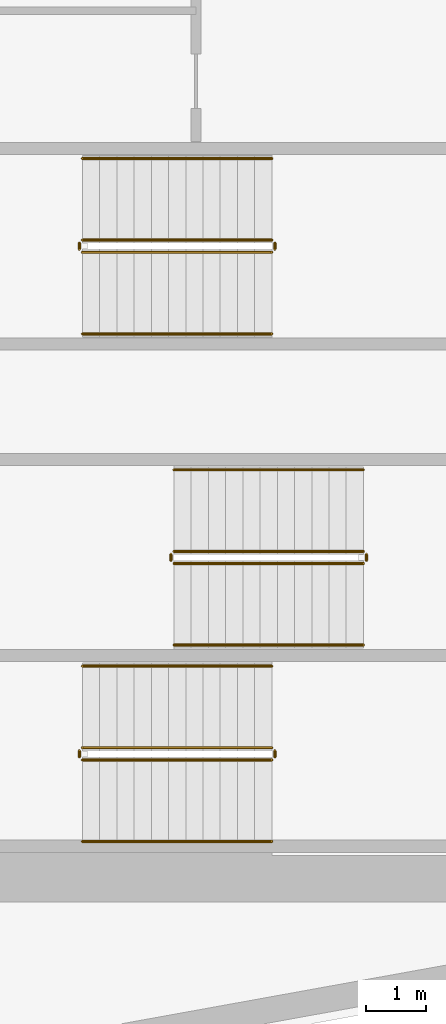
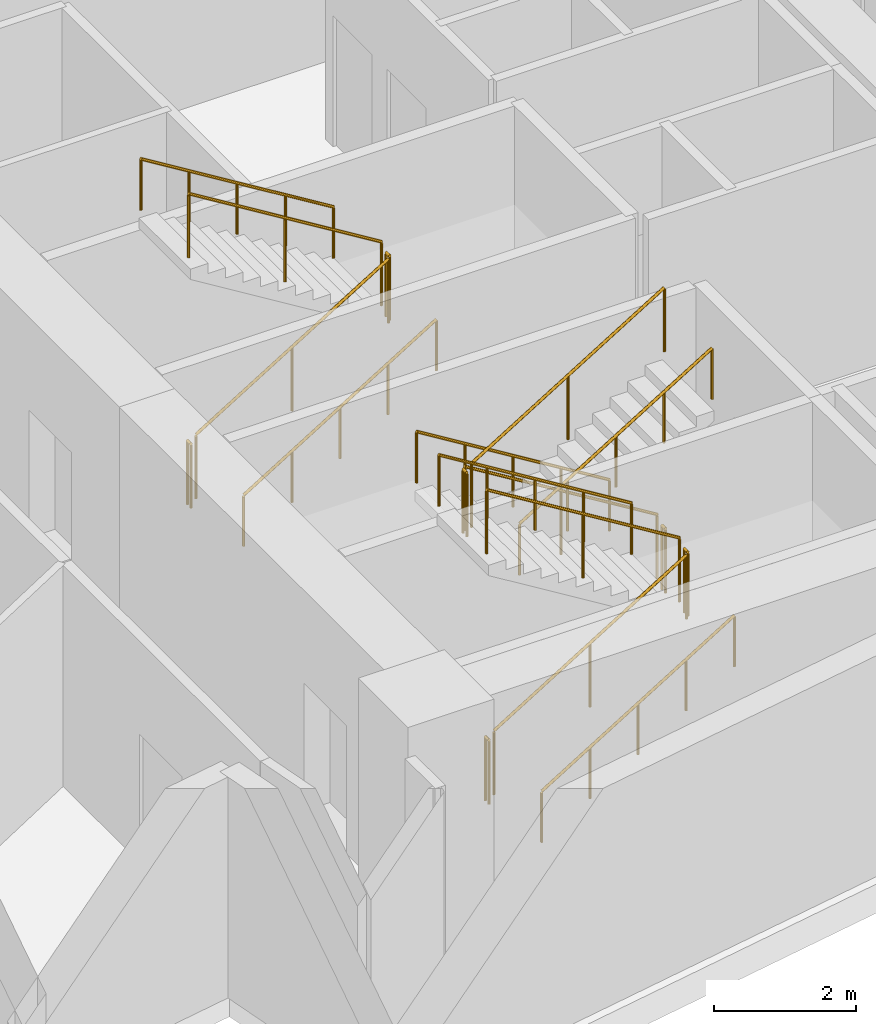
# One storey, part 18 of 19: 18 railings.
"""IFC4 building model written with IfcOpenShell, lengths in metres."""

from ifc_helpers import new_model, si_unit, direction, frame, origin, origin_2d, place, context, subcontext, project, spatial, circle, extrude, material, type_object, element, save


model = new_model("IFC4")

# Units and contexts
model_context = context("Model", 3, precision=1e-05, world=origin(), true_north=direction((0.0, 1.0)))
body_context = subcontext(model_context, "Body", "Model", "MODEL_VIEW")
ifc_project = project(units=[si_unit("LENGTHUNIT", "METRE"), si_unit("AREAUNIT", "SQUARE_METRE"), si_unit("VOLUMEUNIT", "CUBIC_METRE"), si_unit("PLANEANGLEUNIT", "RADIAN"), si_unit("MASSUNIT", "GRAM", prefix="KILO")], contexts=[model_context])

# Site, building, storey
site_placement = place(None, origin())
site = spatial("IfcSite", under=ifc_project, at=site_placement, CompositionType="ELEMENT")
building_placement = place(site_placement, origin())
building = spatial("IfcBuilding", under=site, at=building_placement, Name="Narakoshi Arena Tower", CompositionType="ELEMENT")
storey_placement = place(building_placement, frame((0.0, 0.0, 128.10009765625)))
storey = spatial("IfcBuildingStorey", under=building, at=storey_placement, Name="L34", CompositionType="ELEMENT", Elevation=128.10009765625)

# Railings
ifc_material_1 = material(Name="Clear low-iron laminated structural glass", Category="glass")
railing_type_1 = type_object("IfcRailingType", Name="RL-BAL-1100", PredefinedType="BALUSTRADE", material=ifc_material_1)
railing_1_placement = place(storey_placement, frame((74.39990234375, 36.949951171875, 0.1748046875)))
element("IfcRailing", 1, at=railing_1_placement, inside=storey, type_object=railing_type_1, Name="L34 ST1 stair guard 1", PredefinedType="BALUSTRADE", context=body_context, shape_type="SweptSolid", body=[
    extrude(circle(Radius=0.02392578125, at=origin_2d()), frame((0.0, 0.0, 1.09619140625), z_axis=(0.852166034122, 0.0, 0.523271488128), x_axis=(0.0, 1.0, 0.0)), (0.0, 0.0, 1.0), 3.678955078125),
    extrude(circle(Radius=0.02099609375, at=origin_2d()), origin(), (0.0, 0.0, 1.0), 1.072021484375),
    extrude(circle(Radius=0.02099609375, at=origin_2d()), frame((1.5673828125, 0.0, 0.96240234375)), (0.0, 0.0, 1.0), 1.072021484375),
    extrude(circle(Radius=0.02099609375, at=origin_2d()), frame((3.135009765625, 0.0, 1.925048828125)), (0.0, 0.0, 1.0), 1.072021484375),
])
railing_2_placement = place(storey_placement, frame((77.5849609375, 37.0, 2.099853515625)))
element("IfcRailing", 2, at=railing_2_placement, inside=storey, type_object=railing_type_1, Name="L34 ST1 stair guard 2", PredefinedType="BALUSTRADE", context=body_context, shape_type="SweptSolid", body=[
    extrude(circle(Radius=0.02392578125, at=origin_2d()), frame((0.0, 0.0, 1.09619140625), z_axis=(0.0, 1.0, 0.0), x_axis=(-1.0, 0.0, 0.0)), (0.0, 0.0, 1.0), 0.10009765625),
    extrude(circle(Radius=0.02099609375, at=origin_2d()), origin(), (0.0, 0.0, 1.0), 1.072021484375),
    extrude(circle(Radius=0.02099609375, at=origin_2d()), frame((0.0, 0.10009765625, 0.0)), (0.0, 0.0, 1.0), 1.072021484375),
])
railing_3_placement = place(storey_placement, frame((77.534912109375, 37.14990234375, 2.27490234375)))
element("IfcRailing", 3, at=railing_3_placement, inside=storey, type_object=railing_type_1, Name="L34 ST1 stair guard 3", PredefinedType="BALUSTRADE", context=body_context, shape_type="SweptSolid", body=[
    extrude(circle(Radius=0.02392578125, at=origin_2d()), frame((0.0, 0.0, 1.09619140625), z_axis=(-0.852166034122, 0.0, 0.523271488128), x_axis=(0.0, -1.0, 0.0)), (0.0, 0.0, 1.0), 3.678955078125),
    extrude(circle(Radius=0.02099609375, at=origin_2d()), origin(), (0.0, 0.0, 1.0), 1.072021484375),
    extrude(circle(Radius=0.02099609375, at=origin_2d()), frame((-1.5673828125, 0.0, 0.96240234375)), (0.0, 0.0, 1.0), 1.072021484375),
    extrude(circle(Radius=0.02099609375, at=origin_2d()), frame((-3.135009765625, 0.0, 1.925048828125)), (0.0, 0.0, 1.0), 1.072021484375),
])
railing_4_placement = place(storey_placement, frame((74.35009765625, 37.0, 0.0)))
element("IfcRailing", 4, at=railing_4_placement, inside=storey, type_object=railing_type_1, Name="L34 ST1 stair guard 4", PredefinedType="BALUSTRADE", context=body_context, shape_type="SweptSolid", body=[
    extrude(circle(Radius=0.02392578125, at=origin_2d()), frame((0.0, 0.0, 1.09619140625), z_axis=(0.0, 1.0, 0.0), x_axis=(-1.0, 0.0, 0.0)), (0.0, 0.0, 1.0), 0.10009765625),
    extrude(circle(Radius=0.02099609375, at=origin_2d()), origin(), (0.0, 0.0, 1.0), 1.072021484375),
    extrude(circle(Radius=0.02099609375, at=origin_2d()), frame((0.0, 0.10009765625, 0.0)), (0.0, 0.0, 1.0), 1.072021484375),
])
railing_5_placement = place(storey_placement, frame((79.050048828125, 40.39990234375, 0.1748046875)))
element("IfcRailing", 5, at=railing_5_placement, inside=storey, type_object=railing_type_1, Name="L34 ST2 stair guard 1", PredefinedType="BALUSTRADE", context=body_context, shape_type="SweptSolid", body=[
    extrude(circle(Radius=0.02392578125, at=origin_2d()), frame((0.0, 0.0, 1.09619140625), z_axis=(-0.852166034122, 0.0, 0.523271488128), x_axis=(0.0, -1.0, 0.0)), (0.0, 0.0, 1.0), 3.678955078125),
    extrude(circle(Radius=0.02099609375, at=origin_2d()), origin(), (0.0, 0.0, 1.0), 1.072021484375),
    extrude(circle(Radius=0.02099609375, at=origin_2d()), frame((-1.5673828125, 0.0, 0.96240234375)), (0.0, 0.0, 1.0), 1.072021484375),
    extrude(circle(Radius=0.02099609375, at=origin_2d()), frame((-3.135009765625, 0.0, 1.925048828125)), (0.0, 0.0, 1.0), 1.072021484375),
])
railing_6_placement = place(storey_placement, frame((75.864990234375, 40.35009765625, 2.099853515625)))
element("IfcRailing", 6, at=railing_6_placement, inside=storey, type_object=railing_type_1, Name="L34 ST2 stair guard 2", PredefinedType="BALUSTRADE", context=body_context, shape_type="SweptSolid", body=[
    extrude(circle(Radius=0.02392578125, at=origin_2d()), frame((0.0, 0.0, 1.09619140625), z_axis=(0.0, -1.0, 0.0), x_axis=(1.0, 0.0, 0.0)), (0.0, 0.0, 1.0), 0.10009765625),
    extrude(circle(Radius=0.02099609375, at=origin_2d()), origin(), (0.0, 0.0, 1.0), 1.072021484375),
    extrude(circle(Radius=0.02099609375, at=origin_2d()), frame((0.0, -0.10009765625, 0.0)), (0.0, 0.0, 1.0), 1.072021484375),
])
railing_7_placement = place(storey_placement, frame((75.9150390625, 40.199951171875, 2.27490234375)))
element("IfcRailing", 7, at=railing_7_placement, inside=storey, type_object=railing_type_1, Name="L34 ST2 stair guard 3", PredefinedType="BALUSTRADE", context=body_context, shape_type="SweptSolid", body=[
    extrude(circle(Radius=0.02392578125, at=origin_2d()), frame((0.0, 0.0, 1.09619140625), z_axis=(0.852166034122, 0.0, 0.523271488128), x_axis=(0.0, 1.0, 0.0)), (0.0, 0.0, 1.0), 3.678955078125),
    extrude(circle(Radius=0.02099609375, at=origin_2d()), origin(), (0.0, 0.0, 1.0), 1.072021484375),
    extrude(circle(Radius=0.02099609375, at=origin_2d()), frame((1.5673828125, 0.0, 0.96240234375)), (0.0, 0.0, 1.0), 1.072021484375),
    extrude(circle(Radius=0.02099609375, at=origin_2d()), frame((3.135009765625, 0.0, 1.925048828125)), (0.0, 0.0, 1.0), 1.072021484375),
])
railing_8_placement = place(storey_placement, frame((79.10009765625, 40.35009765625, 0.0)))
element("IfcRailing", 8, at=railing_8_placement, inside=storey, type_object=railing_type_1, Name="L34 ST2 stair guard 4", PredefinedType="BALUSTRADE", context=body_context, shape_type="SweptSolid", body=[
    extrude(circle(Radius=0.02392578125, at=origin_2d()), frame((0.0, 0.0, 1.09619140625), z_axis=(0.0, -1.0, 0.0), x_axis=(1.0, 0.0, 0.0)), (0.0, 0.0, 1.0), 0.10009765625),
    extrude(circle(Radius=0.02099609375, at=origin_2d()), origin(), (0.0, 0.0, 1.0), 1.072021484375),
    extrude(circle(Radius=0.02099609375, at=origin_2d()), frame((0.0, -0.10009765625, 0.0)), (0.0, 0.0, 1.0), 1.072021484375),
])
railing_9_placement = place(storey_placement, frame((74.39990234375, 45.35009765625, 0.1748046875)))
element("IfcRailing", 9, at=railing_9_placement, inside=storey, type_object=railing_type_1, Name="L34 ST3 stair guard 1", PredefinedType="BALUSTRADE", context=body_context, shape_type="SweptSolid", body=[
    extrude(circle(Radius=0.02392578125, at=origin_2d()), frame((0.0, 0.0, 1.09619140625), z_axis=(0.852166034122, 0.0, 0.523271488128), x_axis=(0.0, 1.0, 0.0)), (0.0, 0.0, 1.0), 3.678955078125),
    extrude(circle(Radius=0.02099609375, at=origin_2d()), origin(), (0.0, 0.0, 1.0), 1.072021484375),
    extrude(circle(Radius=0.02099609375, at=origin_2d()), frame((1.5673828125, 0.0, 0.96240234375)), (0.0, 0.0, 1.0), 1.072021484375),
    extrude(circle(Radius=0.02099609375, at=origin_2d()), frame((3.135009765625, 0.0, 1.925048828125)), (0.0, 0.0, 1.0), 1.072021484375),
])
railing_10_placement = place(storey_placement, frame((77.5849609375, 45.39990234375, 2.099853515625)))
element("IfcRailing", 10, at=railing_10_placement, inside=storey, type_object=railing_type_1, Name="L34 ST3 stair guard 2", PredefinedType="BALUSTRADE", context=body_context, shape_type="SweptSolid", body=[
    extrude(circle(Radius=0.02392578125, at=origin_2d()), frame((0.0, 0.0, 1.09619140625), z_axis=(0.0, 1.0, 0.0), x_axis=(-1.0, 0.0, 0.0)), (0.0, 0.0, 1.0), 0.10009765625),
    extrude(circle(Radius=0.02099609375, at=origin_2d()), origin(), (0.0, 0.0, 1.0), 1.072021484375),
    extrude(circle(Radius=0.02099609375, at=origin_2d()), frame((0.0, 0.10009765625, 0.0)), (0.0, 0.0, 1.0), 1.072021484375),
])
railing_11_placement = place(storey_placement, frame((77.534912109375, 45.550048828125, 2.27490234375)))
element("IfcRailing", 11, at=railing_11_placement, inside=storey, type_object=railing_type_1, Name="L34 ST3 stair guard 3", PredefinedType="BALUSTRADE", context=body_context, shape_type="SweptSolid", body=[
    extrude(circle(Radius=0.02392578125, at=origin_2d()), frame((0.0, 0.0, 1.09619140625), z_axis=(-0.852166034122, 0.0, 0.523271488128), x_axis=(0.0, -1.0, 0.0)), (0.0, 0.0, 1.0), 3.678955078125),
    extrude(circle(Radius=0.02099609375, at=origin_2d()), origin(), (0.0, 0.0, 1.0), 1.072021484375),
    extrude(circle(Radius=0.02099609375, at=origin_2d()), frame((-1.5673828125, 0.0, 0.96240234375)), (0.0, 0.0, 1.0), 1.072021484375),
    extrude(circle(Radius=0.02099609375, at=origin_2d()), frame((-3.135009765625, 0.0, 1.925048828125)), (0.0, 0.0, 1.0), 1.072021484375),
])
railing_12_placement = place(storey_placement, frame((74.35009765625, 45.39990234375, 0.0)))
element("IfcRailing", 12, at=railing_12_placement, inside=storey, type_object=railing_type_1, Name="L34 ST3 stair guard 4", PredefinedType="BALUSTRADE", context=body_context, shape_type="SweptSolid", body=[
    extrude(circle(Radius=0.02392578125, at=origin_2d()), frame((0.0, 0.0, 1.09619140625), z_axis=(0.0, 1.0, 0.0), x_axis=(-1.0, 0.0, 0.0)), (0.0, 0.0, 1.0), 0.10009765625),
    extrude(circle(Radius=0.02099609375, at=origin_2d()), origin(), (0.0, 0.0, 1.0), 1.072021484375),
    extrude(circle(Radius=0.02099609375, at=origin_2d()), frame((0.0, 0.10009765625, 0.0)), (0.0, 0.0, 1.0), 1.072021484375),
])
ifc_material_2 = material(Name="Brushed bronze stainless steel", Category="steel")
railing_type_2 = type_object("IfcRailingType", Name="RL-HND-900", PredefinedType="HANDRAIL", material=ifc_material_2)
railing_13_placement = place(storey_placement, frame((74.39990234375, 35.60009765625, 0.1748046875)))
element("IfcRailing", 13, at=railing_13_placement, inside=storey, type_object=railing_type_2, Name="L34 ST1 stair handrail 1", PredefinedType="HANDRAIL", context=body_context, shape_type="SweptSolid", body=[
    extrude(circle(Radius=0.02392578125, at=origin_2d()), frame((0.0, 0.0, 0.8759765625), z_axis=(0.852166034122, 0.0, 0.523271488128), x_axis=(0.0, 1.0, 0.0)), (0.0, 0.0, 1.0), 3.678955078125),
    extrude(circle(Radius=0.02099609375, at=origin_2d()), origin(), (0.0, 0.0, 1.0), 0.851806640625),
    extrude(circle(Radius=0.02099609375, at=origin_2d()), frame((0.78369140625, 0.0, 0.481201171875)), (0.0, 0.0, 1.0), 0.851806640625),
    extrude(circle(Radius=0.02099609375, at=origin_2d()), frame((1.5673828125, 0.0, 0.96240234375)), (0.0, 0.0, 1.0), 0.851806640625),
    extrude(circle(Radius=0.02099609375, at=origin_2d()), frame((2.351318359375, 0.0, 1.44384765625)), (0.0, 0.0, 1.0), 0.851806640625),
    extrude(circle(Radius=0.02099609375, at=origin_2d()), frame((3.135009765625, 0.0, 1.925048828125)), (0.0, 0.0, 1.0), 0.851806640625),
])
for number, where, name in (
    (14, (77.534912109375, 38.5, 2.27490234375), "L34 ST1 stair handrail 2"),
    (15, (79.050048828125, 41.75, 0.1748046875), "L34 ST2 stair handrail 1"),
):
    element("IfcRailing", number, at=place(storey_placement, frame(where)), inside=storey, type_object=railing_type_2, Name=name, PredefinedType="HANDRAIL", context=body_context, shape_type="SweptSolid", body=[
        extrude(circle(Radius=0.02392578125, at=origin_2d()), frame((0.0, 0.0, 0.8759765625), z_axis=(-0.852166034122, 0.0, 0.523271488128), x_axis=(0.0, -1.0, 0.0)), (0.0, 0.0, 1.0), 3.678955078125),
        extrude(circle(Radius=0.02099609375, at=origin_2d()), origin(), (0.0, 0.0, 1.0), 0.851806640625),
        extrude(circle(Radius=0.02099609375, at=origin_2d()), frame((-0.78369140625, 0.0, 0.481201171875)), (0.0, 0.0, 1.0), 0.851806640625),
        extrude(circle(Radius=0.02099609375, at=origin_2d()), frame((-1.5673828125, 0.0, 0.96240234375)), (0.0, 0.0, 1.0), 0.851806640625),
        extrude(circle(Radius=0.02099609375, at=origin_2d()), frame((-2.351318359375, 0.0, 1.44384765625)), (0.0, 0.0, 1.0), 0.851806640625),
        extrude(circle(Radius=0.02099609375, at=origin_2d()), frame((-3.135009765625, 0.0, 1.925048828125)), (0.0, 0.0, 1.0), 0.851806640625),
    ])
for number, where, name in (
    (16, (75.9150390625, 38.85009765625, 2.27490234375), "L34 ST2 stair handrail 2"),
    (17, (74.39990234375, 44.0, 0.1748046875), "L34 ST3 stair handrail 1"),
):
    element("IfcRailing", number, at=place(storey_placement, frame(where)), inside=storey, type_object=railing_type_2, Name=name, PredefinedType="HANDRAIL", context=body_context, shape_type="SweptSolid", body=[
        extrude(circle(Radius=0.02392578125, at=origin_2d()), frame((0.0, 0.0, 0.8759765625), z_axis=(0.852166034122, 0.0, 0.523271488128), x_axis=(0.0, 1.0, 0.0)), (0.0, 0.0, 1.0), 3.678955078125),
        extrude(circle(Radius=0.02099609375, at=origin_2d()), origin(), (0.0, 0.0, 1.0), 0.851806640625),
        extrude(circle(Radius=0.02099609375, at=origin_2d()), frame((0.78369140625, 0.0, 0.481201171875)), (0.0, 0.0, 1.0), 0.851806640625),
        extrude(circle(Radius=0.02099609375, at=origin_2d()), frame((1.5673828125, 0.0, 0.96240234375)), (0.0, 0.0, 1.0), 0.851806640625),
        extrude(circle(Radius=0.02099609375, at=origin_2d()), frame((2.351318359375, 0.0, 1.44384765625)), (0.0, 0.0, 1.0), 0.851806640625),
        extrude(circle(Radius=0.02099609375, at=origin_2d()), frame((3.135009765625, 0.0, 1.925048828125)), (0.0, 0.0, 1.0), 0.851806640625),
    ])
railing_14_placement = place(storey_placement, frame((77.534912109375, 46.89990234375, 2.27490234375)))
element("IfcRailing", 18, at=railing_14_placement, inside=storey, type_object=railing_type_2, Name="L34 ST3 stair handrail 2", PredefinedType="HANDRAIL", context=body_context, shape_type="SweptSolid", body=[
    extrude(circle(Radius=0.02392578125, at=origin_2d()), frame((0.0, 0.0, 0.8759765625), z_axis=(-0.852166034122, 0.0, 0.523271488128), x_axis=(0.0, -1.0, 0.0)), (0.0, 0.0, 1.0), 3.678955078125),
    extrude(circle(Radius=0.02099609375, at=origin_2d()), origin(), (0.0, 0.0, 1.0), 0.851806640625),
    extrude(circle(Radius=0.02099609375, at=origin_2d()), frame((-0.78369140625, 0.0, 0.481201171875)), (0.0, 0.0, 1.0), 0.851806640625),
    extrude(circle(Radius=0.02099609375, at=origin_2d()), frame((-1.5673828125, 0.0, 0.96240234375)), (0.0, 0.0, 1.0), 0.851806640625),
    extrude(circle(Radius=0.02099609375, at=origin_2d()), frame((-2.351318359375, 0.0, 1.44384765625)), (0.0, 0.0, 1.0), 0.851806640625),
    extrude(circle(Radius=0.02099609375, at=origin_2d()), frame((-3.135009765625, 0.0, 1.925048828125)), (0.0, 0.0, 1.0), 0.851806640625),
])

save(model, "model.ifc")
